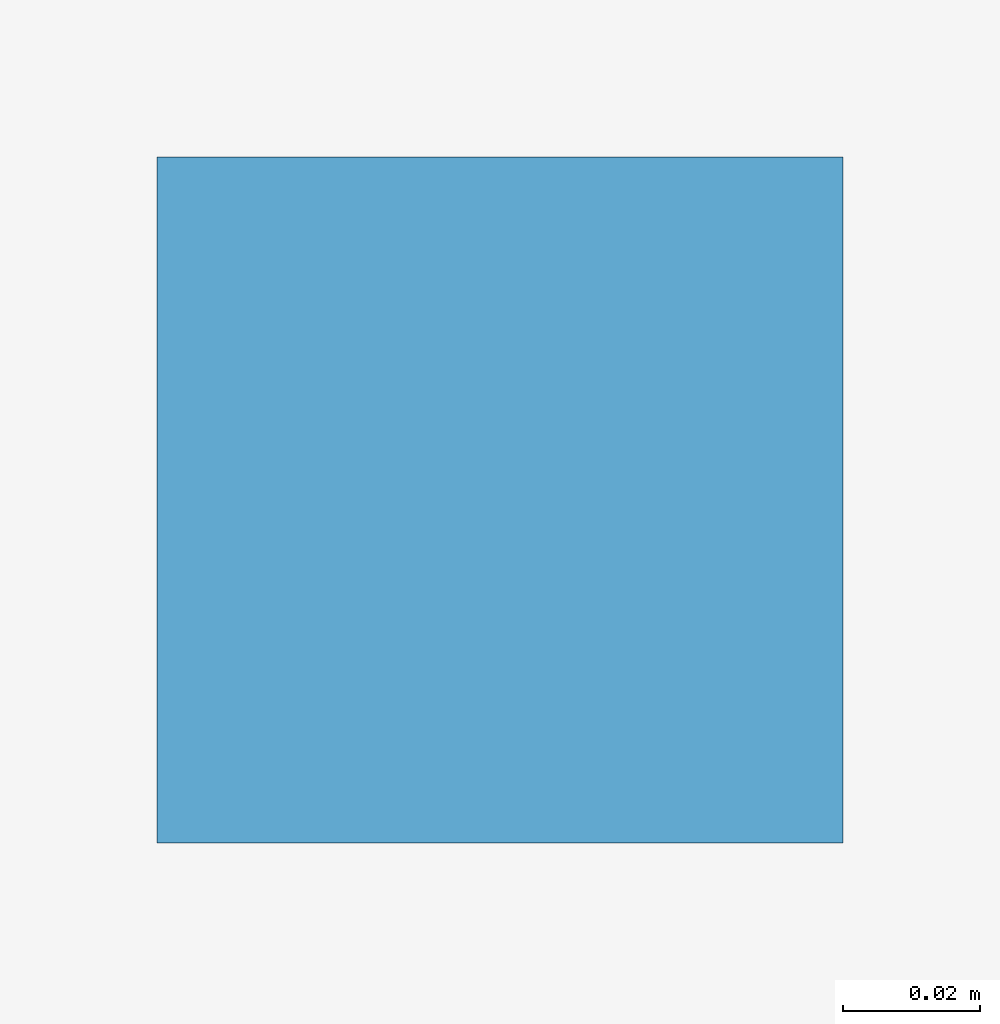
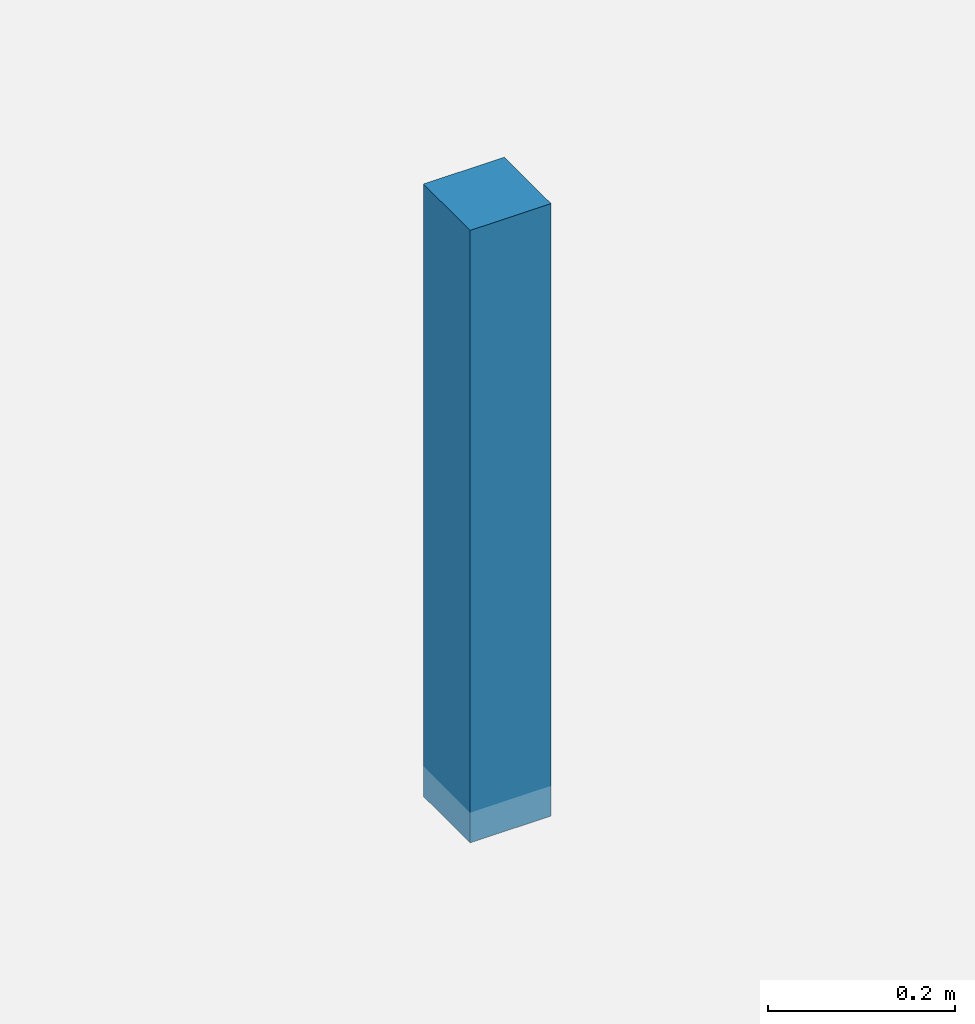
# One storey, part 10 of 13: 1 discrete accessory.
"""IFC4 building model written with IfcOpenShell, lengths in metres."""

import ifcopenshell
import ifcopenshell.guid

model = None  # the IFC model being written
_history = None  # IfcOwnerHistory: only IFC2X3 demands one
_inside = {}  # id of a spatial element -> (the spatial element, [elements in it])
_under = {}  # id of a project, library or spatial element -> (it, [spatial elements below it])
_declared = {}  # id of a project -> (the project, [libraries it declares])
_typed = {}  # id of a type object -> (the type object, [elements of that type])
_made_of = {}  # id of a material, layer set ... -> (it, [elements and type objects made of it])


def new_model(schema):
    """Start an empty IFC model of exactly this schema.

    Asked for "IFC4X3", IfcOpenShell would pick the latest addendum, in which some entities
    have other attributes; the version numbers below select the first issue.
    IFC2X3 requires an IfcOwnerHistory on every rooted entity: one is made here for all.
    """
    global model, _history
    if schema == "IFC4X3":
        model = ifcopenshell.file(schema_version=(4, 3, 0, 0))
    else:
        model = ifcopenshell.file(schema=schema)
    _inside.clear()
    _under.clear()
    _declared.clear()
    _typed.clear()
    _made_of.clear()
    _history = None
    if model.schema == "IFC2X3":
        org = make("IfcOrganization", Name="unknown")
        user = make(
            "IfcPersonAndOrganization",
            ThePerson=make("IfcPerson", FamilyName="unknown"),
            TheOrganization=org,
        )
        app = make(
            "IfcApplication",
            ApplicationDeveloper=org,
            Version="unknown",
            ApplicationFullName="unknown",
            ApplicationIdentifier="unknown",
        )
        _history = make(
            "IfcOwnerHistory",
            OwningUser=user,
            OwningApplication=app,
            ChangeAction="ADDED",
            CreationDate=0,
        )
    return model


def make(cls, **values):
    """One entity of the class cls with the attributes given. An attribute that is None is left unset."""
    return model.create_entity(
        cls, **{name: value for name, value in values.items() if value is not None}
    )


def rooted(cls, **values):
    """An entity with a GlobalId (a new one), such as an element, a storey or a relation."""
    return make(cls, GlobalId=ifcopenshell.guid.new(), OwnerHistory=_history, **values)


def si_unit(unit_type, name, prefix=None):
    """IfcSIUnit, for example si_unit("LENGTHUNIT", "METRE", prefix="MILLI")."""
    return make("IfcSIUnit", UnitType=unit_type, Prefix=prefix, Name=name)


def assignment(units):
    """IfcUnitAssignment: the units of a project."""
    return None if units is None else make("IfcUnitAssignment", Units=units)


def point(xyz):
    """IfcCartesianPoint."""
    return None if xyz is None else make("IfcCartesianPoint", Coordinates=xyz)


def direction(xyz):
    """IfcDirection."""
    return None if xyz is None else make("IfcDirection", DirectionRatios=xyz)


def frame(location, z_axis=None, x_axis=None):
    """IfcAxis2Placement3D, a coordinate frame: its origin and axes. An axis left out is left unset."""
    return make(
        "IfcAxis2Placement3D",
        Location=point(location),
        Axis=direction(z_axis),
        RefDirection=direction(x_axis),
    )


def frame_2d(location, x_axis=None):
    """IfcAxis2Placement2D, a coordinate frame in the plane: its origin and x axis."""
    return make(
        "IfcAxis2Placement2D", Location=point(location), RefDirection=direction(x_axis)
    )


def origin():
    """The frame at (0, 0, 0) with its axes left unset."""
    return frame((0.0, 0.0, 0.0))


def origin_2d():
    """The frame at (0, 0) in the plane with its x axis left unset."""
    return frame_2d((0.0, 0.0))


def place(relative_to, where):
    """IfcLocalPlacement: puts the frame where relative to a parent placement (None: the world)."""
    return make(
        "IfcLocalPlacement", PlacementRelTo=relative_to, RelativePlacement=where
    )


def context(
    kind, dimensions, precision=None, world=None, true_north=None, identifier=None
):
    """IfcGeometricRepresentationContext, for example the 3D "Model" context."""
    return make(
        "IfcGeometricRepresentationContext",
        ContextIdentifier=identifier,
        ContextType=kind,
        CoordinateSpaceDimension=dimensions,
        Precision=precision,
        WorldCoordinateSystem=world,
        TrueNorth=true_north,
    )


def subcontext(parent, identifier, kind, view, scale=None):
    """IfcGeometricRepresentationSubContext, for example "Body" below "Model"."""
    return make(
        "IfcGeometricRepresentationSubContext",
        ContextIdentifier=identifier,
        ContextType=kind,
        ParentContext=parent,
        TargetScale=scale,
        TargetView=view,
    )


def project(units=None, contexts=None):
    """IfcProject with its units and contexts."""
    return rooted(
        "IfcProject",
        Name="project",
        RepresentationContexts=contexts,
        UnitsInContext=assignment(units),
    )


def spatial(cls, under=None, at=None, **own):
    """A site, building, storey or space (cls), placed at a placement, below another one or the project."""
    s = rooted(cls, ObjectPlacement=at, **own)
    if under is not None:
        _under.setdefault(under.id(), (under, []))[1].append(s)
    return s


def profile(cls, at=None, kind="AREA", **sizes):
    """A parametric profile (cls). Its sizes go by their IFC names, for example OverallWidth=200.0."""
    return make(cls, ProfileType=kind, Position=at, **sizes)


def rectangle(**sizes):
    """IfcRectangleProfileDef."""
    return profile("IfcRectangleProfileDef", **sizes)


def extrude(swept, where, along, depth):
    """IfcExtrudedAreaSolid: the profile swept, set in the frame where, extruded along a direction by depth."""
    return make(
        "IfcExtrudedAreaSolid",
        SweptArea=swept,
        Position=where,
        ExtrudedDirection=direction(along),
        Depth=depth,
    )


def shape(context_of_items, identifier, shape_type, items):
    """IfcShapeRepresentation: the items that make up one representation, for example the "Body"."""
    return make(
        "IfcShapeRepresentation",
        ContextOfItems=context_of_items,
        RepresentationIdentifier=identifier,
        RepresentationType=shape_type,
        Items=items,
    )


def material(Name=None, Category=None):
    """IfcMaterial."""
    return make("IfcMaterial", Name=Name, Category=Category)


def made_of(thing, what):
    """Note that an element or type object is made of a material, layer set ...; save() writes the relation."""
    if what is not None:
        _made_of.setdefault(what.id(), (what, []))[1].append(thing)
    return thing


def type_object(cls, material=None, **own):
    """A type object (cls), such as IfcWallType, which elements share."""
    return made_of(rooted(cls, **own), material)


def element(
    cls,
    number,
    at=None,
    inside=None,
    cuts=None,
    type_object=None,
    material=None,
    context=None,
    identifier="Body",
    shape_type=None,
    held_by="IfcProductDefinitionShape",
    body=None,
    shapes=None,
    **own,
):
    """One element of the class cls, such as IfcWall. Its Tag is "e" and its number.

    at: its placement. inside: the storey or other place that contains it. cuts: it is an
    opening in that element (IfcRelVoidsElement). A single representation is given by context,
    identifier, shape_type and body (its items); several are given by shapes. held_by: the class
    of the entity that holds the representations. save() writes the other relations.
    """
    e = rooted(cls, Tag="e%d" % number, ObjectPlacement=at, **own)
    if body is not None:
        shapes = [shape(context, identifier, shape_type, body)]
    if shapes is not None:
        e.Representation = make(held_by, Representations=shapes)
    if inside is not None:
        _inside.setdefault(inside.id(), (inside, []))[1].append(e)
    if cuts is not None:
        rooted(
            "IfcRelVoidsElement", RelatingBuildingElement=cuts, RelatedOpeningElement=e
        )
    if type_object is not None:
        _typed.setdefault(type_object.id(), (type_object, []))[1].append(e)
    return made_of(e, material)


def aggregate(whole, parts):
    """IfcRelAggregates: a whole, such as a stair, and the parts it consists of."""
    return rooted("IfcRelAggregates", RelatingObject=whole, RelatedObjects=parts)


def save(model, path):
    """Write the relations noted so far, then the file.

    IfcRelAggregates (storeys below a building ...), IfcRelContainedInSpatialStructure (elements
    in a storey), IfcRelDefinesByType, IfcRelAssociatesMaterial and IfcRelDeclares: one each for
    every whole, place, type object, material and project.
    """
    for whole, parts in _under.values():
        aggregate(whole, parts)
    for where, things in _inside.values():
        rooted(
            "IfcRelContainedInSpatialStructure",
            RelatedElements=things,
            RelatingStructure=where,
        )
    for kind, things in _typed.values():
        rooted("IfcRelDefinesByType", RelatedObjects=things, RelatingType=kind)
    for what, things in _made_of.values():
        rooted("IfcRelAssociatesMaterial", RelatedObjects=things, RelatingMaterial=what)
    for by, libraries in _declared.values():
        rooted("IfcRelDeclares", RelatingContext=by, RelatedDefinitions=libraries)
    model.write(path)


model = new_model("IFC4")

# Units and contexts
model_context = context("Model", 3, precision=1e-05, world=origin(), true_north=direction((0.0, 1.0)))
body_context = subcontext(model_context, "Body", "Model", "MODEL_VIEW")
ifc_project = project(units=[si_unit("LENGTHUNIT", "METRE"), si_unit("AREAUNIT", "SQUARE_METRE"), si_unit("VOLUMEUNIT", "CUBIC_METRE"), si_unit("PLANEANGLEUNIT", "RADIAN"), si_unit("MASSUNIT", "GRAM", prefix="KILO"), si_unit("THERMODYNAMICTEMPERATUREUNIT", "KELVIN"), si_unit("POWERUNIT", "WATT")], contexts=[model_context])

# Site, building, storey
site_placement = place(None, origin())
site = spatial("IfcSite", under=ifc_project, at=site_placement, CompositionType="ELEMENT")
building_placement = place(site_placement, origin())
building = spatial("IfcBuilding", under=site, at=building_placement, Name="Solmara Park Aquatics Centre", CompositionType="ELEMENT")
storey_placement = place(building_placement, frame((0.0, 0.0, 14.39990234375)))
storey = spatial("IfcBuildingStorey", under=building, at=storey_placement, Name="L03", CompositionType="ELEMENT", Elevation=14.39990234375)

# Discrete accessory
ifc_material = material(Name="Galvanised Steel Ceiling Suspension Bracket", Category="steel")
discrete_accessory_type = type_object("IfcDiscreteAccessoryType", Name="ARC-ACC-HNG", PredefinedType="BRACKET", material=ifc_material)
discrete_accessory_placement = place(storey_placement, frame((49.60009765625, 128.35009765625, 3.080078125), z_axis=(0.0, 0.0, 1.0), x_axis=(1.0, 0.0, 0.0)))
element("IfcDiscreteAccessory", 1, at=discrete_accessory_placement, inside=storey, type_object=discrete_accessory_type, Name="Ceiling Hanger Bracket L03-SEM-01", PredefinedType="BRACKET", context=body_context, shape_type="SweptSolid", body=[
    extrude(rectangle(XDim=0.10009765625, YDim=0.10009765625, at=origin_2d()), origin(), (0.0, 0.0, 1.0), 0.800048828125),
])

save(model, "model.ifc")
